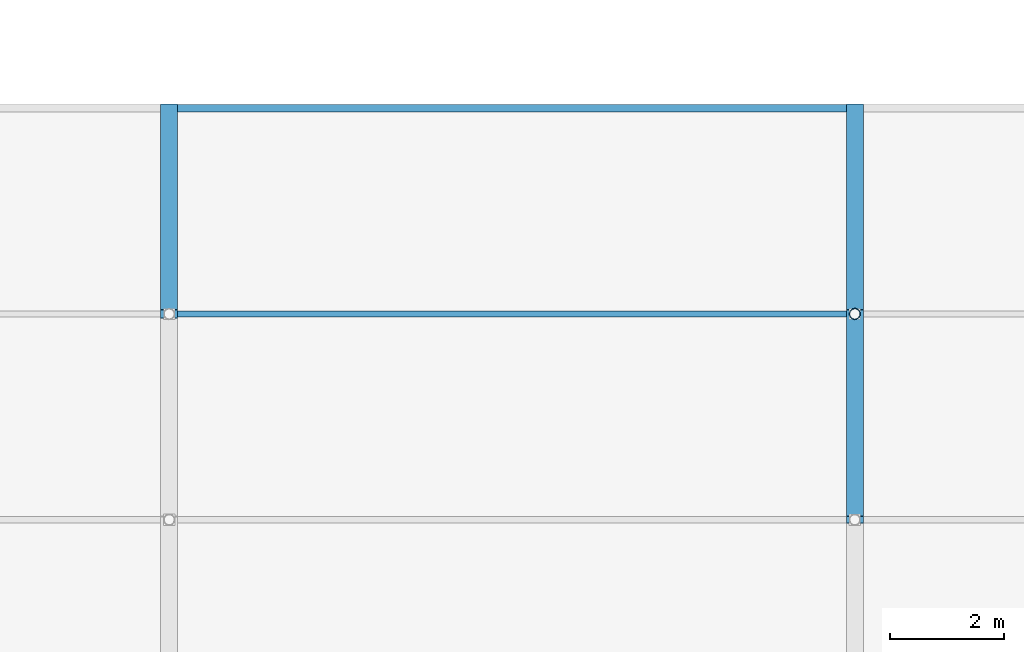
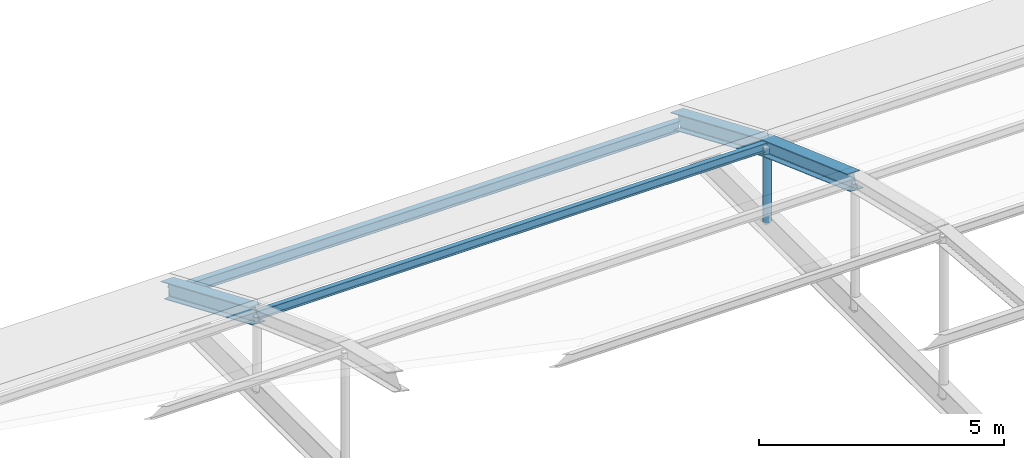
# One storey, part 184 of 239: 3 beams, 3 members.
"""IFC4 building model written with IfcOpenShell, lengths in metres."""

from ifc_helpers import new_model, si_unit, direction, frame, origin, origin_2d, place, context, subcontext, project, spatial, hollow_circle, i_section, extrude, material, material_profile, profile_set, type_object, element, save


model = new_model("IFC4")

# Units and contexts
model_context = context("Model", 3, precision=1e-05, world=origin(), true_north=direction((0.0, 1.0)))
body_context = subcontext(model_context, "Body", "Model", "MODEL_VIEW")
ifc_project = project(units=[si_unit("LENGTHUNIT", "METRE"), si_unit("AREAUNIT", "SQUARE_METRE"), si_unit("VOLUMEUNIT", "CUBIC_METRE"), si_unit("PLANEANGLEUNIT", "RADIAN"), si_unit("MASSUNIT", "GRAM", prefix="KILO")], contexts=[model_context])

# Site, building, storey
site_placement = place(None, origin())
site = spatial("IfcSite", under=ifc_project, at=site_placement, CompositionType="ELEMENT")
building_placement = place(site_placement, origin())
building = spatial("IfcBuilding", under=site, at=building_placement, Name="Dunvalen Ferry Terminal", CompositionType="ELEMENT")
storey_placement = place(building_placement, frame((0.0, 0.0, 9.840087890625)))
storey = spatial("IfcBuildingStorey", under=building, at=storey_placement, Name="L02", CompositionType="ELEMENT", Elevation=9.840087890625)

# Beams
ifc_material = material(Name="Steel S355", Category="steel")
ifc_material_profile_1 = material_profile(ifc_material, i_section(OverallWidth=0.300048828125, OverallDepth=0.389892578125, WebThickness=0.010986328125, FlangeThickness=0.01904296875, FilletRadius=0.027099609375, at=origin_2d()), Name="Steel S355")
ifc_profile_set_1 = profile_set([ifc_material_profile_1], Name="Steel S355")
beam_type = type_object("IfcBeamType", Name="STR-BM-HEA400", PredefinedType="BEAM", material=ifc_profile_set_1)
beam_1_placement = place(storey_placement, frame((144.0, 82.800048828125, 1.530517578125), z_axis=(0.0, 0.920277550042, -0.391266189299), x_axis=(-1.0, 0.0, 0.0)))
element("IfcBeam", 1, at=beam_1_placement, inside=storey, type_object=beam_type, Name="Arrivals Hall Barrel-Vault Arch Rib 04.8", PredefinedType="BEAM", context=body_context, shape_type="SweptSolid", body=[
    extrude(i_section(OverallWidth=0.300048828125, OverallDepth=0.389892578125, WebThickness=0.010986328125, FlangeThickness=0.01904296875, FilletRadius=0.027099609375, at=origin_2d()), origin(), (0.0, 0.0, 1.0), 3.91162109375),
])
beam_2_placement = place(storey_placement, frame((156.0, 79.199951171875, 2.828369140625), z_axis=(0.0, 0.940736051004, -0.33913962072), x_axis=(-1.0, 0.0, 0.0)))
element("IfcBeam", 2, at=beam_2_placement, inside=storey, type_object=beam_type, Name="Arrivals Hall Barrel-Vault Arch Rib 05.7", PredefinedType="BEAM", context=body_context, shape_type="SweptSolid", body=[
    extrude(i_section(OverallWidth=0.300048828125, OverallDepth=0.389892578125, WebThickness=0.010986328125, FlangeThickness=0.01904296875, FilletRadius=0.027099609375, at=origin_2d()), origin(), (0.0, 0.0, 1.0), 3.826904296875),
])
beam_3_placement = place(storey_placement, frame((156.0, 82.800048828125, 1.530517578125), z_axis=(0.0, 0.920277550042, -0.391266189299), x_axis=(-1.0, 0.0, 0.0)))
element("IfcBeam", 3, at=beam_3_placement, inside=storey, type_object=beam_type, Name="Arrivals Hall Barrel-Vault Arch Rib 05.8", PredefinedType="BEAM", context=body_context, shape_type="SweptSolid", body=[
    extrude(i_section(OverallWidth=0.300048828125, OverallDepth=0.389892578125, WebThickness=0.010986328125, FlangeThickness=0.01904296875, FilletRadius=0.027099609375, at=origin_2d()), origin(), (0.0, 0.0, 1.0), 3.91162109375),
])

# Members
ifc_material_profile_2 = material_profile(ifc_material, hollow_circle(Radius=0.096923828125, WallThickness=0.008056640625, at=origin_2d()), Name="Steel S355")
ifc_profile_set_2 = profile_set([ifc_material_profile_2], Name="Steel S355")
member_type_1 = type_object("IfcMemberType", Name="STR-MB-CHS193", PredefinedType="STRUT", material=ifc_profile_set_2)
member_1_placement = place(storey_placement, frame((156.0, 82.800048828125, -0.340087890625), z_axis=(0.0, 0.0, 1.0), x_axis=(1.0, 0.0, 0.0)))
element("IfcMember", 4, at=member_1_placement, inside=storey, type_object=member_type_1, Name="Arrivals Hall Vault Hanger 05.7", PredefinedType="STRUT", context=body_context, shape_type="SweptSolid", body=[
    extrude(hollow_circle(Radius=0.096923828125, WallThickness=0.008056640625, at=origin_2d()), origin(), (0.0, 0.0, 1.0), 1.87060546875),
])
ifc_material_profile_3 = material_profile(ifc_material, i_section(OverallWidth=0.110107421875, OverallDepth=0.219970703125, WebThickness=0.005859375, FlangeThickness=0.00927734375, FilletRadius=0.011962890625, at=origin_2d()), Name="Steel S355")
ifc_profile_set_3 = profile_set([ifc_material_profile_3], Name="Steel S355")
member_type_2 = type_object("IfcMemberType", Name="STR-MB-IPE220", PredefinedType="PURLIN", material=ifc_profile_set_3)
member_2_placement = place(storey_placement, frame((144.0, 82.800048828125, 1.530517578125), z_axis=(1.0, 0.0, 0.0), x_axis=(0.0, 1.0, 0.0)))
element("IfcMember", 5, at=member_2_placement, inside=storey, type_object=member_type_2, Name="Arrivals Hall Barrel-Vault Purlin 4.8", PredefinedType="PURLIN", context=body_context, shape_type="SweptSolid", body=[
    extrude(i_section(OverallWidth=0.110107421875, OverallDepth=0.219970703125, WebThickness=0.005859375, FlangeThickness=0.00927734375, FilletRadius=0.011962890625, at=origin_2d()), origin(), (0.0, 0.0, 1.0), 12.0),
])
ifc_material_profile_4 = material_profile(ifc_material, i_section(OverallWidth=0.135009765625, OverallDepth=0.27001953125, WebThickness=0.006591796875, FlangeThickness=0.01025390625, FilletRadius=0.014892578125, at=origin_2d()), Name="Steel S355")
ifc_profile_set_4 = profile_set([ifc_material_profile_4], Name="Steel S355")
member_type_3 = type_object("IfcMemberType", Name="STR-MB-IPE270", PredefinedType="PURLIN", material=ifc_profile_set_4)
member_3_placement = place(storey_placement, frame((144.0, 86.39990234375, -0.14013671875), z_axis=(1.0, 0.0, 0.0), x_axis=(0.0, 1.0, 0.0)))
element("IfcMember", 6, at=member_3_placement, inside=storey, type_object=member_type_3, Name="Arrivals Hall Barrel-Vault Purlin 4.9", PredefinedType="PURLIN", context=body_context, shape_type="SweptSolid", body=[
    extrude(i_section(OverallWidth=0.135009765625, OverallDepth=0.27001953125, WebThickness=0.006591796875, FlangeThickness=0.01025390625, FilletRadius=0.014892578125, at=origin_2d()), origin(), (0.0, 0.0, 1.0), 12.0),
])

save(model, "model.ifc")
